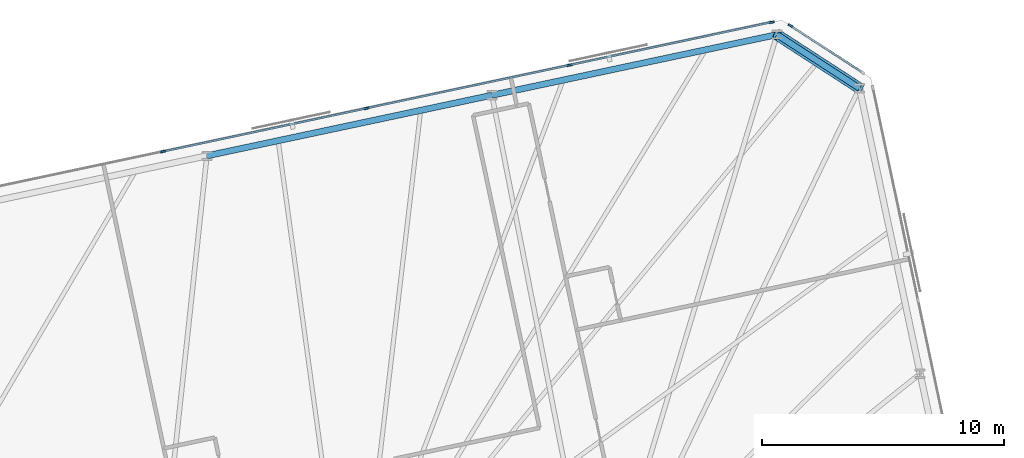
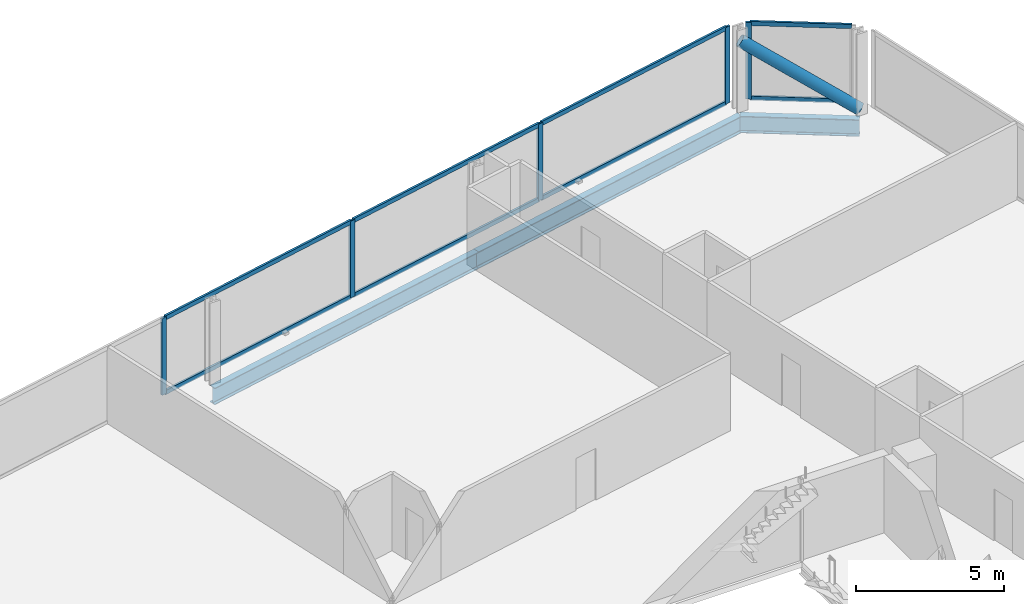
# One storey, part 11 of 19: 14 members, 3 beams, 2 elements without a shape of their own.
"""IFC4 building model written with IfcOpenShell, lengths in metres."""

from ifc_helpers import new_model, si_unit, direction, frame, origin, origin_2d, place, context, subcontext, project, spatial, rectangle, hollow_circle, i_section, extrude, material, material_profile, profile_set, type_object, element, aggregate, save


model = new_model("IFC4")

# Units and contexts
model_context = context("Model", 3, precision=1e-05, world=origin(), true_north=direction((0.0, 1.0)))
body_context = subcontext(model_context, "Body", "Model", "MODEL_VIEW")
ifc_project = project(units=[si_unit("LENGTHUNIT", "METRE"), si_unit("AREAUNIT", "SQUARE_METRE"), si_unit("VOLUMEUNIT", "CUBIC_METRE"), si_unit("PLANEANGLEUNIT", "RADIAN"), si_unit("MASSUNIT", "GRAM", prefix="KILO")], contexts=[model_context])

# Site, building, storey
site_placement = place(None, origin())
site = spatial("IfcSite", under=ifc_project, at=site_placement, CompositionType="ELEMENT")
building_placement = place(site_placement, origin())
building = spatial("IfcBuilding", under=site, at=building_placement, Name="Menara Jurai Vektor", CompositionType="ELEMENT")
storey_placement = place(building_placement, frame((0.0, 0.0, 192.199951171875)))
storey = spatial("IfcBuildingStorey", under=building, at=storey_placement, Name="L50", CompositionType="ELEMENT", Elevation=192.199951171875)

# Curtain wall, member
ifc_material_1 = material(Name="Anodised Pale Aluminium & Low-E Double Glazing", Category="aluminium")
curtain_wall_type = type_object("IfcCurtainWallType", Name="CW-BLK3", PredefinedType="NOTDEFINED", material=ifc_material_1)
curtain_wall_1_placement = place(storey_placement, origin())
curtain_wall_1 = element("IfcCurtainWall", 1, at=curtain_wall_1_placement, inside=storey, type_object=curtain_wall_type, Name="Unitised Curtain Wall L50 F04", PredefinedType="NOTDEFINED")
ifc_material_2 = material(Name="Anodised Pale Aluminium Mullion", Category="aluminium")
ifc_material_profile_1 = material_profile(ifc_material_2, rectangle(XDim=0.0849609375, YDim=0.205078125, at=origin_2d()), Name="ALU MUL 85x205")
ifc_profile_set_1 = profile_set([ifc_material_profile_1], Name="Anodised Pale Aluminium Mullion")
member_type_1 = type_object("IfcMemberType", Name="CW-BLK3-MUL", PredefinedType="MULLION", material=ifc_profile_set_1)
member_1_placement = place(storey_placement, frame((23.219970703125, 29.920654296875, 0.0), z_axis=(0.0, 0.0, 1.0), x_axis=(-0.544617794346, -0.838684361415, 0.0)))
member_1 = element("IfcMember", 2, at=member_1_placement, type_object=member_type_1, Name="CW-03 mullion 2", PredefinedType="MULLION", context=body_context, shape_type="SweptSolid", body=[
    extrude(rectangle(XDim=0.0849609375, YDim=0.205078125, at=origin_2d()), origin(), (0.0, 0.0, 1.0), 3.175048828125),
])

# Curtain wall, members
curtain_wall_2_placement = place(storey_placement, origin())
curtain_wall_2 = element("IfcCurtainWall", 3, at=curtain_wall_2_placement, inside=storey, type_object=curtain_wall_type, Name="Unitised Curtain Wall L50 F05", PredefinedType="NOTDEFINED")
member_2_placement = place(storey_placement, frame((22.452392578125, 30.062744140625, 0.0), z_axis=(0.0, 0.0, 1.0), x_axis=(0.207911344156, -0.978147674419, 0.0)))
member_2 = element("IfcMember", 4, at=member_2_placement, type_object=member_type_1, Name="CW-03 mullion 1", PredefinedType="MULLION", context=body_context, shape_type="SweptSolid", body=[
    extrude(rectangle(XDim=0.0849609375, YDim=0.205078125, at=origin_2d()), origin(), (0.0, 0.0, 1.0), 3.175048828125),
])
member_3_placement = place(storey_placement, frame((14.104248046875, 28.288330078125, 0.0), z_axis=(0.0, 0.0, 1.0), x_axis=(0.207911344156, -0.978147674419, 0.0)))
member_3 = element("IfcMember", 5, at=member_3_placement, type_object=member_type_1, Name="CW-03 mullion 2", PredefinedType="MULLION", context=body_context, shape_type="SweptSolid", body=[
    extrude(rectangle(XDim=0.0849609375, YDim=0.205078125, at=origin_2d()), origin(), (0.0, 0.0, 1.0), 3.175048828125),
])
member_4_placement = place(storey_placement, frame((5.71435546875, 26.505126953125, 0.0), z_axis=(0.0, 0.0, 1.0), x_axis=(0.207911344156, -0.978147674419, 0.0)))
member_4 = element("IfcMember", 6, at=member_4_placement, type_object=member_type_1, Name="CW-03 mullion 3", PredefinedType="MULLION", context=body_context, shape_type="SweptSolid", body=[
    extrude(rectangle(XDim=0.0849609375, YDim=0.205078125, at=origin_2d()), origin(), (0.0, 0.0, 1.0), 3.175048828125),
])
member_5_placement = place(storey_placement, frame((-2.67529296875, 24.721923828125, 0.0), z_axis=(0.0, 0.0, 1.0), x_axis=(0.207911344156, -0.978147674419, 0.0)))
member_5 = element("IfcMember", 7, at=member_5_placement, type_object=member_type_1, Name="CW-03 mullion 4", PredefinedType="MULLION", context=body_context, shape_type="SweptSolid", body=[
    extrude(rectangle(XDim=0.0849609375, YDim=0.205078125, at=origin_2d()), origin(), (0.0, 0.0, 1.0), 3.175048828125),
])

# Member
ifc_material_3 = material(Name="Anodised Pale Aluminium Transom", Category="aluminium")
ifc_material_profile_2 = material_profile(ifc_material_3, rectangle(XDim=0.0849609375, YDim=0.175048828125, at=origin_2d()), Name="ALU TRN 85x175")
ifc_profile_set_2 = profile_set([ifc_material_profile_2], Name="Anodised Pale Aluminium Transom")
member_type_2 = type_object("IfcMemberType", Name="CW-BLK3-TRN", PredefinedType="USERDEFINED", material=ifc_profile_set_2)
member_6_placement = place(storey_placement, frame((26.15234375, 28.016357421875, 0.04248046875), z_axis=(-0.83867770631, 0.54462804274, 0.0), x_axis=(-0.54462804274, -0.83867770631, 0.0)))
member_6 = element("IfcMember", 8, at=member_6_placement, type_object=member_type_2, Name="CW-03 transom 1.1", ObjectType="TRANSOM", PredefinedType="USERDEFINED", context=body_context, shape_type="SweptSolid", body=[
    extrude(rectangle(XDim=0.0849609375, YDim=0.175048828125, at=origin_2d()), origin(), (0.0, 0.0, 1.0), 3.453857421875),
])

member_7_placement = place(storey_placement, frame((26.15234375, 28.016357421875, 3.132568359375), z_axis=(-0.83867770631, 0.54462804274, 0.0), x_axis=(-0.54462804274, -0.83867770631, 0.0)))
member_7 = element("IfcMember", 9, at=member_7_placement, type_object=member_type_2, Name="CW-03 transom 1.2", ObjectType="TRANSOM", PredefinedType="USERDEFINED", context=body_context, shape_type="SweptSolid", body=[
    extrude(rectangle(XDim=0.0849609375, YDim=0.175048828125, at=origin_2d()), origin(), (0.0, 0.0, 1.0), 3.453857421875),
])

aggregate(curtain_wall_1, [member_1, member_6, member_7])

member_8_placement = place(storey_placement, frame((22.41064453125, 30.053955078125, 0.04248046875), z_axis=(-0.978151580361, -0.207892967261, 0.0), x_axis=(0.207892967261, -0.978151580361, 0.0)))
member_8 = element("IfcMember", 10, at=member_8_placement, type_object=member_type_2, Name="CW-03 transom 1.1", ObjectType="TRANSOM", PredefinedType="USERDEFINED", context=body_context, shape_type="SweptSolid", body=[
    extrude(rectangle(XDim=0.0849609375, YDim=0.175048828125, at=origin_2d()), origin(), (0.0, 0.0, 1.0), 8.449462890625),
])

member_9_placement = place(storey_placement, frame((22.41064453125, 30.053955078125, 3.132568359375), z_axis=(-0.978151580361, -0.207892967261, 0.0), x_axis=(0.207892967261, -0.978151580361, 0.0)))
member_9 = element("IfcMember", 11, at=member_9_placement, type_object=member_type_2, Name="CW-03 transom 1.2", ObjectType="TRANSOM", PredefinedType="USERDEFINED", context=body_context, shape_type="SweptSolid", body=[
    extrude(rectangle(XDim=0.0849609375, YDim=0.175048828125, at=origin_2d()), origin(), (0.0, 0.0, 1.0), 8.449462890625),
])

member_10_placement = place(storey_placement, frame((14.0625, 28.279541015625, 0.04248046875), z_axis=(-0.978146500933, -0.207916864907, 0.0), x_axis=(0.207916864907, -0.978146500933, 0.0)))
member_10 = element("IfcMember", 12, at=member_10_placement, type_object=member_type_2, Name="CW-03 transom 2.1", ObjectType="TRANSOM", PredefinedType="USERDEFINED", context=body_context, shape_type="SweptSolid", body=[
    extrude(rectangle(XDim=0.0849609375, YDim=0.175048828125, at=origin_2d()), origin(), (0.0, 0.0, 1.0), 8.491943359375),
])

member_11_placement = place(storey_placement, frame((14.0625, 28.279541015625, 3.132568359375), z_axis=(-0.978146500933, -0.207916864907, 0.0), x_axis=(0.207916864907, -0.978146500933, 0.0)))
member_11 = element("IfcMember", 13, at=member_11_placement, type_object=member_type_2, Name="CW-03 transom 2.2", ObjectType="TRANSOM", PredefinedType="USERDEFINED", context=body_context, shape_type="SweptSolid", body=[
    extrude(rectangle(XDim=0.0849609375, YDim=0.175048828125, at=origin_2d()), origin(), (0.0, 0.0, 1.0), 8.491943359375),
])

member_12_placement = place(storey_placement, frame((5.6728515625, 26.496337890625, 0.04248046875), z_axis=(-0.978147743708, -0.207911018178, 0.0), x_axis=(0.207911018178, -0.978147743708, 0.0)))
member_12 = element("IfcMember", 14, at=member_12_placement, type_object=member_type_2, Name="CW-03 transom 3.1", ObjectType="TRANSOM", PredefinedType="USERDEFINED", context=body_context, shape_type="SweptSolid", body=[
    extrude(rectangle(XDim=0.0849609375, YDim=0.175048828125, at=origin_2d()), origin(), (0.0, 0.0, 1.0), 8.4921875),
])

member_13_placement = place(storey_placement, frame((5.6728515625, 26.496337890625, 3.132568359375), z_axis=(-0.978147743708, -0.207911018178, 0.0), x_axis=(0.207911018178, -0.978147743708, 0.0)))
member_13 = element("IfcMember", 15, at=member_13_placement, type_object=member_type_2, Name="CW-03 transom 3.2", ObjectType="TRANSOM", PredefinedType="USERDEFINED", context=body_context, shape_type="SweptSolid", body=[
    extrude(rectangle(XDim=0.0849609375, YDim=0.175048828125, at=origin_2d()), origin(), (0.0, 0.0, 1.0), 8.4921875),
])

aggregate(curtain_wall_2, [member_2, member_3, member_4, member_5, member_8, member_9, member_10, member_11, member_12, member_13])

ifc_material_4 = material(Name="Steel S460", Category="steel")
ifc_material_profile_3 = material_profile(ifc_material_4, hollow_circle(Radius=0.228515625, WallThickness=0.01611328125, at=origin_2d()), Name="CHS 457x16")
ifc_profile_set_3 = profile_set([ifc_material_profile_3], Name="Steel S460")
member_type_3 = type_object("IfcMemberType", Name="STR-BR-457", PredefinedType="BRACE", material=ifc_profile_set_3)
member_14_placement = place(storey_placement, frame((26.0712890625, 27.33349609375, 0.150146484375), z_axis=(-0.700438157158, 0.454860613632, 0.549989281862), x_axis=(-0.544631249681, -0.838675623749, 0.0)))
element("IfcMember", 16, at=member_14_placement, inside=storey, type_object=member_type_3, Name="Exoskeleton Corner Brace L50-2", PredefinedType="BRACE", context=body_context, shape_type="SweptSolid", body=[
    extrude(hollow_circle(Radius=0.228515625, WallThickness=0.01611328125, at=origin_2d()), origin(), (0.0, 0.0, 1.0), 4.86328125),
])

# Beams
ifc_material_profile_4 = material_profile(ifc_material_4, i_section(OverallWidth=0.256103515625, OverallDepth=0.693115234375, WebThickness=0.013916015625, FlangeThickness=0.02392578125, FilletRadius=0.014892578125, at=origin_2d()), Name="UKB 686x254x170")
ifc_profile_set_4 = profile_set([ifc_material_profile_4], Name="Steel S460")
beam_type = type_object("IfcBeamType", Name="STR-SP-686", PredefinedType="SPANDREL", material=ifc_profile_set_4)
beam_1_placement = place(storey_placement, frame((26.0712890625, 27.33349609375, -0.571533203125), z_axis=(-0.838675623749, 0.544631249681, 0.0), x_axis=(-0.544631249681, -0.838675623749, 0.0)))
element("IfcBeam", 17, at=beam_1_placement, inside=storey, type_object=beam_type, Name="Exoskeleton Spandrel Beam L50-10", PredefinedType="SPANDREL", context=body_context, shape_type="SweptSolid", body=[
    extrude(i_section(OverallWidth=0.256103515625, OverallDepth=0.693115234375, WebThickness=0.013916015625, FlangeThickness=0.02392578125, FilletRadius=0.014892578125, at=origin_2d()), origin(), (0.0, 0.0, 1.0), 4.061767578125),
])
beam_2_placement = place(storey_placement, frame((22.664794921875, 29.545654296875, -0.571533203125), z_axis=(-0.978147039247, -0.207914332389, 0.0), x_axis=(0.207914332389, -0.978147039247, 0.0)))
element("IfcBeam", 18, at=beam_2_placement, inside=storey, type_object=beam_type, Name="Exoskeleton Spandrel Beam L50-11", PredefinedType="SPANDREL", context=body_context, shape_type="SweptSolid", body=[
    extrude(i_section(OverallWidth=0.256103515625, OverallDepth=0.693115234375, WebThickness=0.013916015625, FlangeThickness=0.02392578125, FilletRadius=0.014892578125, at=origin_2d()), origin(), (0.0, 0.0, 1.0), 12.03125),
])
beam_3_placement = place(storey_placement, frame((10.896484375, 27.044189453125, -0.571533203125), z_axis=(-0.978150288855, -0.207899043801, 0.0), x_axis=(0.207899043801, -0.978150288855, 0.0)))
element("IfcBeam", 19, at=beam_3_placement, inside=storey, type_object=beam_type, Name="Exoskeleton Spandrel Beam L50-12", PredefinedType="SPANDREL", context=body_context, shape_type="SweptSolid", body=[
    extrude(i_section(OverallWidth=0.256103515625, OverallDepth=0.693115234375, WebThickness=0.013916015625, FlangeThickness=0.02392578125, FilletRadius=0.014892578125, at=origin_2d()), origin(), (0.0, 0.0, 1.0), 12.031005859375),
])

save(model, "model.ifc")
